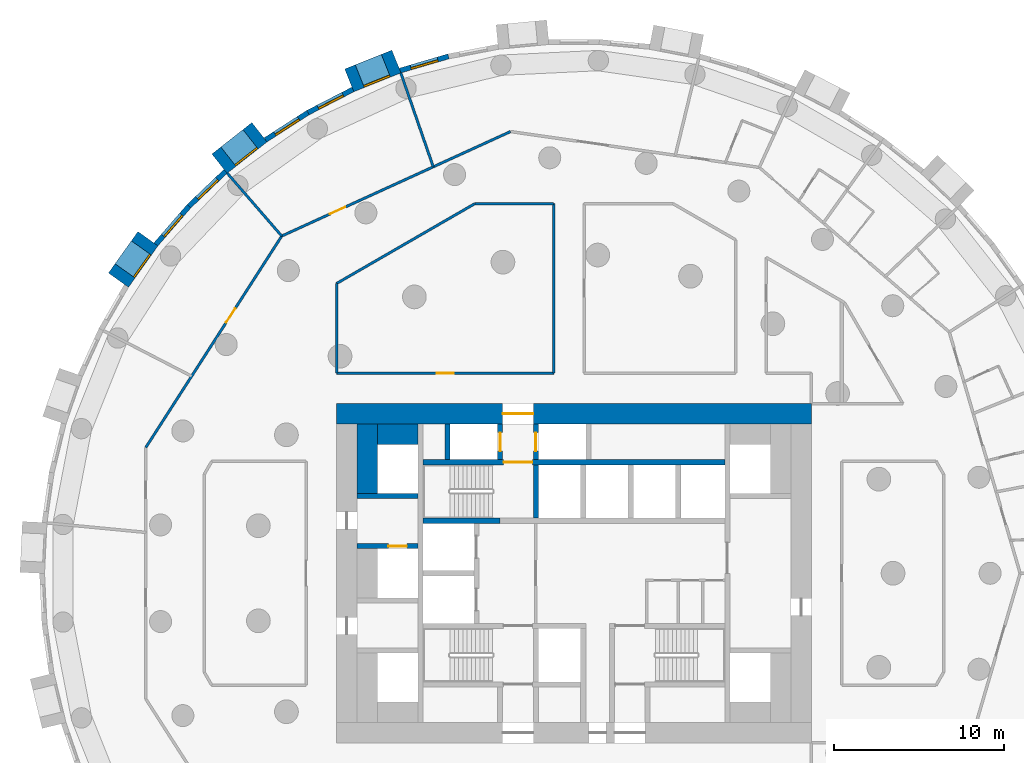
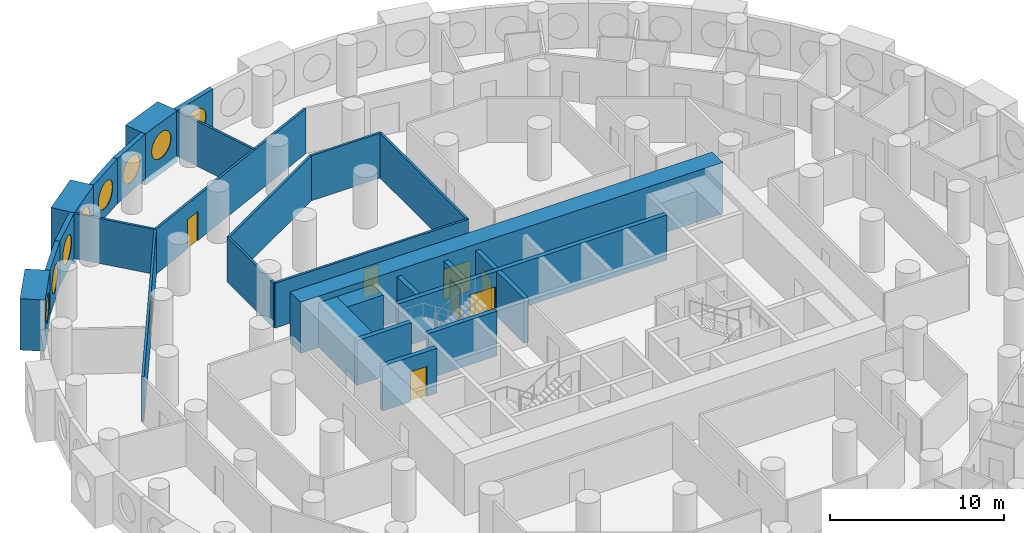
# One storey, part 7 of 12: 28 walls, 8 doors, 8 windows, 16 openings.
"""IFC4 building model written with IfcOpenShell, lengths in metres."""

from ifc_helpers import new_model, si_unit, direction, frame, frame_2d, origin, origin_2d, place, context, subcontext, project, spatial, rectangle, circle, extrude, material, layer, layer_set, type_object, element, fill, save


model = new_model("IFC4")

# Units and contexts
model_context = context("Model", 3, precision=1e-05, world=origin(), true_north=direction((0.0, 1.0)))
body_context = subcontext(model_context, "Body", "Model", "MODEL_VIEW")
ifc_project = project(units=[si_unit("LENGTHUNIT", "METRE"), si_unit("AREAUNIT", "SQUARE_METRE"), si_unit("VOLUMEUNIT", "CUBIC_METRE"), si_unit("PLANEANGLEUNIT", "RADIAN"), si_unit("MASSUNIT", "GRAM", prefix="KILO")], contexts=[model_context])

# Site, building, storey
site_placement = place(None, origin())
site = spatial("IfcSite", under=ifc_project, at=site_placement, CompositionType="ELEMENT")
building_placement = place(site_placement, origin())
building = spatial("IfcBuilding", under=site, at=building_placement, Name="Tracery Tower", CompositionType="ELEMENT")
storey_placement = place(building_placement, frame((0.0, 0.0, 71.39990234375)))
storey = spatial("IfcBuildingStorey", under=building, at=storey_placement, Name="L17", CompositionType="ELEMENT", Elevation=71.39990234375)

# Walls
ifc_material_1 = material(Name="Concrete C60/75", Category="concrete")
ifc_layer_1 = layer(ifc_material_1, 1.199951171875)
ifc_layer_set_1 = layer_set([ifc_layer_1], Name="Core strip wall 1200 C60")
wall_type_1 = type_object("IfcWallType", Name="Core strip wall 1200 C60", PredefinedType="SOLIDWALL", material=ifc_layer_set_1)
wall_1_placement = place(storey_placement, frame((-12.199951171875, 4.699951171875, 0.0), z_axis=(0.0, 0.0, 1.0), x_axis=(0.0, 1.0, 0.0)))
element("IfcWall", 1, at=wall_1_placement, inside=storey, type_object=wall_type_1, Name="L17 wing strip -1 4.55", PredefinedType="SOLIDWALL", context=body_context, shape_type="SweptSolid", body=[
    extrude(rectangle(XDim=4.10009765625, YDim=1.199951171875, at=frame_2d((2.050048828125, 0.0))), origin(), (0.0, 0.0, 1.0), 3.150146484375),
])
wall_2_placement = place(storey_placement, frame((-11.60009765625, 8.199951171875, 0.0), z_axis=(0.0, 0.0, 1.0), x_axis=(1.0, 0.0, 0.0)))
element("IfcWall", 2, at=wall_2_placement, inside=storey, type_object=wall_type_1, Name="L17 wing corner -1 +8.2", PredefinedType="SOLIDWALL", context=body_context, shape_type="SweptSolid", body=[
    extrude(rectangle(XDim=2.400146484375, YDim=1.199951171875, at=frame_2d((1.2001953125, 0.0))), origin(), (0.0, 0.0, 1.0), 3.150146484375),
])

# Wall, opening, door
ifc_material_2 = material(Name="Concrete C60/75", Category="concrete")
ifc_layer_2 = layer(ifc_material_2, 1.199951171875)
ifc_layer_set_2 = layer_set([ifc_layer_2], Name="Core wall 1200 C60")
wall_type_2 = type_object("IfcWallType", Name="Core wall 1200 C60", PredefinedType="SOLIDWALL", material=ifc_layer_set_2)
wall_3_placement = place(storey_placement, frame((-14.0, 9.39990234375, 0.0), z_axis=(0.0, 0.0, 1.0), x_axis=(1.0, 0.0, 0.0)))
wall_3 = element("IfcWall", 3, at=wall_3_placement, inside=storey, type_object=wall_type_2, Name="L17 outer N", PredefinedType="SOLIDWALL", context=body_context, shape_type="SweptSolid", body=[
    extrude(rectangle(XDim=28.0, YDim=1.199951171875, at=frame_2d((14.0, 0.0))), origin(), (0.0, 0.0, 1.0), 3.60009765625),
])
opening_1_placement = place(wall_3_placement, frame((9.800048828125, 0.0, 0.0)))
opening_1 = element("IfcOpeningElement", 4, at=opening_1_placement, cuts=wall_3, Name="Opening KD13", PredefinedType="OPENING", context=body_context, shape_type="SweptSolid", body=[
    extrude(rectangle(XDim=1.800048828125, YDim=2.10009765625, at=frame_2d((0.89990234375, 1.050048828125))), frame((0.0, 0.60009765625, 0.0), z_axis=(0.0, -1.0, 0.0), x_axis=(1.0, 0.0, 0.0)), (0.0, 0.0, 1.0), 1.199951171875),
])
ifc_material_3 = material(Name="Steel fire door", Category="steel")
door_type_1 = type_object("IfcDoorType", Name="Core exit door 1800 double", OperationType="NOTDEFINED", PredefinedType="DOOR", material=ifc_material_3)
door_1_placement = place(opening_1_placement, origin())
door_1 = element("IfcDoor", 5, at=door_1_placement, inside=storey, type_object=door_type_1, Name="Core exit door", OperationType="DOUBLE_DOOR_SINGLE_SWING", OverallHeight=2.10009765625, OverallWidth=1.800048828125, PredefinedType="DOOR", context=body_context, shape_type="SweptSolid", body=[
    extrude(rectangle(XDim=1.800048828125, YDim=2.10009765625, at=frame_2d((0.89990234375, 1.050048828125))), frame((0.0, 0.02490234375, 0.0), z_axis=(0.0, -1.0, 0.0), x_axis=(1.0, 0.0, 0.0)), (0.0, 0.0, 1.0), 0.050048828125),
])
fill(opening_1, door_1)

# Wall, opening, window
ifc_material_4 = material(Name="Precast concrete C50/60", Category="concrete")
ifc_layer_3 = layer(ifc_material_4, 1.449951171875)
ifc_layer_set_3 = layer_set([ifc_layer_3], Name="Deep-set bay unit 3000 x 3600, slab edge 450")
wall_type_3 = type_object("IfcWallType", Name="Deep-set bay unit 3000 x 3600, slab edge 450", PredefinedType="ELEMENTEDWALL", material=ifc_layer_set_3)
wall_4_placement = place(storey_placement, frame((-10.46875, 30.185302734375, -0.449951171875), z_axis=(0.0, 0.0, 1.0), x_axis=(-0.928358776184, -0.371685327504, 0.0)))
wall_4 = element("IfcWall", 6, at=wall_4_placement, inside=storey, type_object=wall_type_3, Name="Deep-set bay unit 21 at L17", PredefinedType="ELEMENTEDWALL", context=body_context, shape_type="SweptSolid", body=[
    extrude(rectangle(XDim=2.999755859375, YDim=1.449951171875, at=frame_2d((1.5, 0.0))), origin(), (0.0, 0.0, 1.0), 3.60009765625),
])
opening_2_placement = place(wall_4_placement, frame((1.5, 0.0, 2.0)))
opening_2 = element("IfcOpeningElement", 7, at=opening_2_placement, cuts=wall_4, Name="Opening WN1", PredefinedType="OPENING", context=body_context, shape_type="SweptSolid", body=[
    extrude(circle(Radius=0.9000244140625, at=origin_2d()), frame((0.0, 0.73486328125, 0.0), z_axis=(0.0, -1.0, 0.0), x_axis=(1.0, 0.0, 0.0)), (0.0, 0.0, 1.0), 1.469970703125),
])
ifc_material_5 = material(Name="Aluminium frame with tinted double glazing", Category="aluminium")
window_type = type_object("IfcWindowType", Name="Round window 1800", PartitioningType="SINGLE_PANEL", PredefinedType="WINDOW", material=ifc_material_5)
window_1_placement = place(opening_2_placement, origin())
window_1 = element("IfcWindow", 8, at=window_1_placement, inside=storey, type_object=window_type, Name="Round window 21 at L17", OverallHeight=1.800048828125, OverallWidth=1.800048828125, PartitioningType="SINGLE_PANEL", PredefinedType="WINDOW", context=body_context, shape_type="SweptSolid", body=[
    extrude(circle(Radius=0.9000244140625, at=origin_2d()), frame((0.0, 0.69482421875, 0.0), z_axis=(0.0, -1.0, 0.0), x_axis=(1.0, 0.0, 0.0)), (0.0, 0.0, 1.0), 0.10009765625),
])
fill(opening_2, window_1)

wall_5_placement = place(storey_placement, frame((-18.548828125, 26.01318359375, -0.449951171875), z_axis=(0.0, 0.0, 1.0), x_axis=(-0.786049992888, -0.618162930529, 0.0)))
wall_5 = element("IfcWall", 9, at=wall_5_placement, inside=storey, type_object=wall_type_3, Name="Deep-set bay unit 24 at L17", PredefinedType="ELEMENTEDWALL", context=body_context, shape_type="SweptSolid", body=[
    extrude(rectangle(XDim=3.0, YDim=1.449951171875, at=frame_2d((1.5, 0.0))), origin(), (0.0, 0.0, 1.0), 3.60009765625),
])
opening_3_placement = place(wall_5_placement, frame((1.5, 0.0, 2.0)))
opening_3 = element("IfcOpeningElement", 10, at=opening_3_placement, cuts=wall_5, Name="Opening WN1", PredefinedType="OPENING", context=body_context, shape_type="SweptSolid", body=[
    extrude(circle(Radius=0.9000244140625, at=origin_2d()), frame((0.0, 0.73486328125, 0.0), z_axis=(0.0, -1.0, 0.0), x_axis=(1.0, 0.0, 0.0)), (0.0, 0.0, 1.0), 1.469970703125),
])
window_2_placement = place(opening_3_placement, origin())
window_2 = element("IfcWindow", 11, at=window_2_placement, inside=storey, type_object=window_type, Name="Round window 24 at L17", OverallHeight=1.800048828125, OverallWidth=1.800048828125, PartitioningType="SINGLE_PANEL", PredefinedType="WINDOW", context=body_context, shape_type="SweptSolid", body=[
    extrude(circle(Radius=0.9000244140625, at=origin_2d()), frame((0.0, 0.69482421875, 0.0), z_axis=(0.0, -1.0, 0.0), x_axis=(1.0, 0.0, 0.0)), (0.0, 0.0, 1.0), 0.10009765625),
])
fill(opening_3, window_2)

wall_6_placement = place(storey_placement, frame((-25.126220703125, 19.733642578125, -0.449951171875), z_axis=(0.0, 0.0, 1.0), x_axis=(-0.580090570606, -0.814551981088, 0.0)))
wall_6 = element("IfcWall", 12, at=wall_6_placement, inside=storey, type_object=wall_type_3, Name="Deep-set bay unit 27 at L17", PredefinedType="ELEMENTEDWALL", context=body_context, shape_type="SweptSolid", body=[
    extrude(rectangle(XDim=3.0, YDim=1.449951171875, at=frame_2d((1.5, 0.0))), origin(), (0.0, 0.0, 1.0), 3.60009765625),
])
opening_4_placement = place(wall_6_placement, frame((1.5, 0.0, 2.0)))
opening_4 = element("IfcOpeningElement", 13, at=opening_4_placement, cuts=wall_6, Name="Opening WN1", PredefinedType="OPENING", context=body_context, shape_type="SweptSolid", body=[
    extrude(circle(Radius=0.9000244140625, at=origin_2d()), frame((0.0, 0.73486328125, 0.0), z_axis=(0.0, -1.0, 0.0), x_axis=(1.0, 0.0, 0.0)), (0.0, 0.0, 1.0), 1.469970703125),
])
window_3_placement = place(opening_4_placement, origin())
window_3 = element("IfcWindow", 14, at=window_3_placement, inside=storey, type_object=window_type, Name="Round window 27 at L17", OverallHeight=1.800048828125, OverallWidth=1.800048828125, PartitioningType="SINGLE_PANEL", PredefinedType="WINDOW", context=body_context, shape_type="SweptSolid", body=[
    extrude(circle(Radius=0.9000244140625, at=origin_2d()), frame((0.0, 0.69482421875, 0.0), z_axis=(0.0, -1.0, 0.0), x_axis=(1.0, 0.0, 0.0)), (0.0, 0.0, 1.0), 0.10009765625),
])
fill(opening_4, window_3)

ifc_material_6 = material(Name="Precast concrete C50/60", Category="concrete")
ifc_layer_4 = layer(ifc_material_6, 0.300048828125)
ifc_layer_set_4 = layer_set([ifc_layer_4], Name="Facade panel 3000 x 3150")
wall_type_4 = type_object("IfcWallType", Name="Facade panel 3000 x 3150", PredefinedType="SOLIDWALL", material=ifc_layer_set_4)
wall_7_placement = place(storey_placement, frame((-7.396728515625, 30.489990234375, 0.0), z_axis=(0.0, 0.0, 1.0), x_axis=(-0.959507586834, -0.28168278401, 0.0)))
wall_7 = element("IfcWall", 15, at=wall_7_placement, inside=storey, type_object=wall_type_4, Name="Facade panel 20 at L17", PredefinedType="SOLIDWALL", context=body_context, shape_type="SweptSolid", body=[
    extrude(rectangle(XDim=2.979736328125, YDim=0.300048828125, at=frame_2d((1.48974609375, 0.0))), origin(), (0.0, 0.0, 1.0), 3.150146484375),
])
opening_5_placement = place(wall_7_placement, frame((1.48974609375, 0.0, 1.5498046875)))
opening_5 = element("IfcOpeningElement", 16, at=opening_5_placement, cuts=wall_7, Name="Opening WN1", PredefinedType="OPENING", context=body_context, shape_type="SweptSolid", body=[
    extrude(circle(Radius=0.9000244140625, at=origin_2d()), frame((0.0, 0.159912109375, 0.0), z_axis=(0.0, -1.0, 0.0), x_axis=(1.0, 0.0, 0.0)), (0.0, 0.0, 1.0), 0.320068359375),
])
window_4_placement = place(opening_5_placement, origin())
window_4 = element("IfcWindow", 17, at=window_4_placement, inside=storey, type_object=window_type, Name="Round window 20 at L17", OverallHeight=1.800048828125, OverallWidth=1.800048828125, PartitioningType="SINGLE_PANEL", PredefinedType="WINDOW", context=body_context, shape_type="SweptSolid", body=[
    extrude(circle(Radius=0.9000244140625, at=origin_2d()), frame((0.0, 0.1201171875, 0.0), z_axis=(0.0, -1.0, 0.0), x_axis=(1.0, 0.0, 0.0)), (0.0, 0.0, 1.0), 0.10009765625),
])
fill(opening_5, window_4)

wall_8_placement = place(storey_placement, frame((-13.038818359375, 28.536376953125, 0.0), z_axis=(0.0, 0.0, 1.0), x_axis=(-0.888853225096, -0.4581920386, 0.0)))
wall_8 = element("IfcWall", 18, at=wall_8_placement, inside=storey, type_object=wall_type_4, Name="Facade panel 22 at L17", PredefinedType="SOLIDWALL", context=body_context, shape_type="SweptSolid", body=[
    extrude(rectangle(XDim=2.9794921875, YDim=0.300048828125, at=frame_2d((1.48974609375, 0.0))), origin(), (0.0, 0.0, 1.0), 3.150146484375),
])
opening_6_placement = place(wall_8_placement, frame((1.48974609375, 0.0, 1.5498046875)))
opening_6 = element("IfcOpeningElement", 19, at=opening_6_placement, cuts=wall_8, Name="Opening WN1", PredefinedType="OPENING", context=body_context, shape_type="SweptSolid", body=[
    extrude(circle(Radius=0.9000244140625, at=origin_2d()), frame((0.0, 0.159912109375, 0.0), z_axis=(0.0, -1.0, 0.0), x_axis=(1.0, 0.0, 0.0)), (0.0, 0.0, 1.0), 0.320068359375),
])
window_5_placement = place(opening_6_placement, origin())
window_5 = element("IfcWindow", 20, at=window_5_placement, inside=storey, type_object=window_type, Name="Round window 22 at L17", OverallHeight=1.800048828125, OverallWidth=1.800048828125, PartitioningType="SINGLE_PANEL", PredefinedType="WINDOW", context=body_context, shape_type="SweptSolid", body=[
    extrude(circle(Radius=0.9000244140625, at=origin_2d()), frame((0.0, 0.1201171875, 0.0), z_axis=(0.0, -1.0, 0.0), x_axis=(1.0, 0.0, 0.0)), (0.0, 0.0, 1.0), 0.10009765625),
])
fill(opening_6, window_5)

wall_9_placement = place(storey_placement, frame((-15.687255859375, 27.171142578125, 0.0), z_axis=(0.0, 0.0, 1.0), x_axis=(-0.84122372879, -0.540687190639, 0.0)))
wall_9 = element("IfcWall", 21, at=wall_9_placement, inside=storey, type_object=wall_type_4, Name="Facade panel 23 at L17", PredefinedType="SOLIDWALL", context=body_context, shape_type="SweptSolid", body=[
    extrude(rectangle(XDim=2.979736328125, YDim=0.300048828125, at=frame_2d((1.48974609375, 0.0))), origin(), (0.0, 0.0, 1.0), 3.150146484375),
])
opening_7_placement = place(wall_9_placement, frame((1.48974609375, 0.0, 1.5498046875)))
opening_7 = element("IfcOpeningElement", 22, at=opening_7_placement, cuts=wall_9, Name="Opening WN1", PredefinedType="OPENING", context=body_context, shape_type="SweptSolid", body=[
    extrude(circle(Radius=0.9000244140625, at=origin_2d()), frame((0.0, 0.159912109375, 0.0), z_axis=(0.0, -1.0, 0.0), x_axis=(1.0, 0.0, 0.0)), (0.0, 0.0, 1.0), 0.320068359375),
])
window_6_placement = place(opening_7_placement, origin())
window_6 = element("IfcWindow", 23, at=window_6_placement, inside=storey, type_object=window_type, Name="Round window 23 at L17", OverallHeight=1.800048828125, OverallWidth=1.800048828125, PartitioningType="SINGLE_PANEL", PredefinedType="WINDOW", context=body_context, shape_type="SweptSolid", body=[
    extrude(circle(Radius=0.9000244140625, at=origin_2d()), frame((0.0, 0.1201171875, 0.0), z_axis=(0.0, -1.0, 0.0), x_axis=(1.0, 0.0, 0.0)), (0.0, 0.0, 1.0), 0.10009765625),
])
fill(opening_7, window_6)

wall_10_placement = place(storey_placement, frame((-20.55029296875, 23.70703125, 0.0), z_axis=(0.0, 0.0, 1.0), x_axis=(-0.723744206617, -0.690068346896, 0.0)))
wall_10 = element("IfcWall", 24, at=wall_10_placement, inside=storey, type_object=wall_type_4, Name="Facade panel 25 at L17", PredefinedType="SOLIDWALL", context=body_context, shape_type="SweptSolid", body=[
    extrude(rectangle(XDim=2.979736328125, YDim=0.300048828125, at=frame_2d((1.48974609375, 0.0))), origin(), (0.0, 0.0, 1.0), 3.150146484375),
])
opening_8_placement = place(wall_10_placement, frame((1.48974609375, 0.0, 1.5498046875)))
opening_8 = element("IfcOpeningElement", 25, at=opening_8_placement, cuts=wall_10, Name="Opening WN1", PredefinedType="OPENING", context=body_context, shape_type="SweptSolid", body=[
    extrude(circle(Radius=0.9000244140625, at=origin_2d()), frame((0.0, 0.159912109375, 0.0), z_axis=(0.0, -1.0, 0.0), x_axis=(1.0, 0.0, 0.0)), (0.0, 0.0, 1.0), 0.320068359375),
])
window_7_placement = place(opening_8_placement, origin())
window_7 = element("IfcWindow", 26, at=window_7_placement, inside=storey, type_object=window_type, Name="Round window 25 at L17", OverallHeight=1.800048828125, OverallWidth=1.800048828125, PartitioningType="SINGLE_PANEL", PredefinedType="WINDOW", context=body_context, shape_type="SweptSolid", body=[
    extrude(circle(Radius=0.9000244140625, at=origin_2d()), frame((0.0, 0.1201171875, 0.0), z_axis=(0.0, -1.0, 0.0), x_axis=(1.0, 0.0, 0.0)), (0.0, 0.0, 1.0), 0.10009765625),
])
fill(opening_8, window_7)

wall_11_placement = place(storey_placement, frame((-22.706787109375, 21.65087890625, 0.0), z_axis=(0.0, 0.0, 1.0), x_axis=(-0.654830712471, -0.755775587066, 0.0)))
wall_11 = element("IfcWall", 27, at=wall_11_placement, inside=storey, type_object=wall_type_4, Name="Facade panel 26 at L17", PredefinedType="SOLIDWALL", context=body_context, shape_type="SweptSolid", body=[
    extrude(rectangle(XDim=2.979736328125, YDim=0.300048828125, at=frame_2d((1.48974609375, 0.0))), origin(), (0.0, 0.0, 1.0), 3.150146484375),
])
opening_9_placement = place(wall_11_placement, frame((1.48974609375, 0.0, 1.5498046875)))
opening_9 = element("IfcOpeningElement", 28, at=opening_9_placement, cuts=wall_11, Name="Opening WN1", PredefinedType="OPENING", context=body_context, shape_type="SweptSolid", body=[
    extrude(circle(Radius=0.9000244140625, at=origin_2d()), frame((0.0, 0.159912109375, 0.0), z_axis=(0.0, -1.0, 0.0), x_axis=(1.0, 0.0, 0.0)), (0.0, 0.0, 1.0), 0.320068359375),
])
window_8_placement = place(opening_9_placement, origin())
window_8 = element("IfcWindow", 29, at=window_8_placement, inside=storey, type_object=window_type, Name="Round window 26 at L17", OverallHeight=1.800048828125, OverallWidth=1.800048828125, PartitioningType="SINGLE_PANEL", PredefinedType="WINDOW", context=body_context, shape_type="SweptSolid", body=[
    extrude(circle(Radius=0.9000244140625, at=origin_2d()), frame((0.0, 0.1201171875, 0.0), z_axis=(0.0, -1.0, 0.0), x_axis=(1.0, 0.0, 0.0)), (0.0, 0.0, 1.0), 0.10009765625),
])
fill(opening_9, window_8)

# Walls
ifc_material_7 = material(Name="Plasterboard on steel studs", Category="steel")
ifc_layer_5 = layer(ifc_material_7, 0.14990234375)
ifc_layer_set_5 = layer_set([ifc_layer_5], Name="Partition 150 acoustic unit wall")
wall_type_5 = type_object("IfcWallType", Name="Partition 150 acoustic unit wall", PredefinedType="PARTITIONING", material=ifc_layer_set_5)
wall_12_placement = place(storey_placement, frame((-10.2119140625, 29.507080078125, 0.0), z_axis=(0.0, 0.0, 1.0), x_axis=(0.32692444056, -0.94505048022, 0.0)))
element("IfcWall", 30, at=wall_12_placement, inside=storey, type_object=wall_type_5, Name="Unit wall RA5-080", PredefinedType="PARTITIONING", context=body_context, shape_type="SweptSolid", body=[
    extrude(rectangle(XDim=5.85693359375, YDim=0.14990234375, at=frame_2d((2.928466796875, 0.0))), origin(), (0.0, 0.0, 1.0), 3.150146484375),
])
wall_13_placement = place(storey_placement, frame((-20.447998046875, 23.597900390625, 0.0), z_axis=(0.0, 0.0, 1.0), x_axis=(0.654847179409, -0.755761319214, 0.0)))
element("IfcWall", 31, at=wall_13_placement, inside=storey, type_object=wall_type_5, Name="Unit wall RA5-081", PredefinedType="PARTITIONING", context=body_context, shape_type="SweptSolid", body=[
    extrude(rectangle(XDim=4.90625, YDim=0.14990234375, at=frame_2d((2.453125, 0.0))), origin(), (0.0, 0.0, 1.0), 3.150146484375),
])

# Wall, opening, door
ifc_material_8 = material(Name="Plasterboard on steel studs", Category="steel")
ifc_layer_6 = layer(ifc_material_8, 0.14990234375)
ifc_layer_set_6 = layer_set([ifc_layer_6], Name="Partition 150 corridor wall")
wall_type_6 = type_object("IfcWallType", Name="Partition 150 corridor wall", PredefinedType="PARTITIONING", material=ifc_layer_set_6)
wall_14_placement = place(storey_placement, frame((-14.00390625, 11.800048828125, 0.0), z_axis=(0.0, 0.0, 1.0), x_axis=(1.0, 0.0, 0.0)))
wall_14 = element("IfcWall", 32, at=wall_14_placement, inside=storey, type_object=wall_type_6, Name="Corridor wall RA5-001", PredefinedType="PARTITIONING", context=body_context, shape_type="SweptSolid", body=[
    extrude(rectangle(XDim=12.81591796875, YDim=0.14990234375, at=frame_2d((6.407958984375, 0.0))), origin(), (0.0, 0.0, 1.0), 3.150146484375),
])
opening_10_placement = place(wall_14_placement, frame((5.907958984375, 0.0, 0.0)))
opening_10 = element("IfcOpeningElement", 33, at=opening_10_placement, cuts=wall_14, Name="Opening RA5-01", PredefinedType="OPENING", context=body_context, shape_type="SweptSolid", body=[
    extrude(rectangle(XDim=1.0, YDim=2.0400390625, at=frame_2d((0.5, 1.02001953125))), frame((0.0, 0.074951171875, 0.0), z_axis=(0.0, -1.0, 0.0), x_axis=(1.0, 0.0, 0.0)), (0.0, 0.0, 1.0), 0.14990234375),
])
ifc_material_9 = material(Name="Timber door leaf", Category="wood")
door_type_2 = type_object("IfcDoorType", Name="Door communal room 1000", OperationType="NOTDEFINED", PredefinedType="DOOR", material=ifc_material_9)
door_2_placement = place(opening_10_placement, origin())
door_2 = element("IfcDoor", 34, at=door_2_placement, inside=storey, type_object=door_type_2, Name="Communal room door RA5-01", OperationType="SINGLE_SWING_RIGHT", OverallHeight=2.0400390625, OverallWidth=1.0, PredefinedType="DOOR", context=body_context, shape_type="SweptSolid", body=[
    extrude(rectangle(XDim=1.0, YDim=2.0400390625, at=frame_2d((0.5, 1.02001953125))), frame((0.0, 0.02490234375, 0.0), z_axis=(0.0, -1.0, 0.0), x_axis=(1.0, 0.0, 0.0)), (0.0, 0.0, 1.0), 0.050048828125),
])
fill(opening_10, door_2)

# Walls
wall_15_placement = place(storey_placement, frame((-1.19189453125, 11.800048828125, 0.0), z_axis=(0.0, 0.0, 1.0), x_axis=(0.0, 1.0, 0.0)))
element("IfcWall", 35, at=wall_15_placement, inside=storey, type_object=wall_type_6, Name="Corridor wall RA5-024", PredefinedType="PARTITIONING", context=body_context, shape_type="SweptSolid", body=[
    extrude(rectangle(XDim=10.001953125, YDim=0.14990234375, at=frame_2d((5.0009765625, 0.0))), origin(), (0.0, 0.0, 1.0), 3.150146484375),
])
wall_16_placement = place(storey_placement, frame((-5.842041015625, 21.802001953125, 0.0), z_axis=(0.0, 0.0, 1.0), x_axis=(1.0, 0.0, 0.0)))
element("IfcWall", 36, at=wall_16_placement, inside=storey, type_object=wall_type_6, Name="Corridor wall RA5-025", PredefinedType="PARTITIONING", context=body_context, shape_type="SweptSolid", body=[
    extrude(rectangle(XDim=4.650146484375, YDim=0.14990234375, at=frame_2d((2.3251953125, 0.0))), origin(), (0.0, 0.0, 1.0), 3.150146484375),
])
wall_17_placement = place(storey_placement, frame((-14.0, 17.092041015625, 0.0), z_axis=(0.0, 0.0, 1.0), x_axis=(0.86602719091, 0.499996904595, 0.0)))
element("IfcWall", 37, at=wall_17_placement, inside=storey, type_object=wall_type_6, Name="Corridor wall RA5-026", PredefinedType="PARTITIONING", context=body_context, shape_type="SweptSolid", body=[
    extrude(rectangle(XDim=9.419921875, YDim=0.14990234375, at=frame_2d((4.7099609375, 0.0))), origin(), (0.0, 0.0, 1.0), 3.150146484375),
])
wall_18_placement = place(storey_placement, frame((-14.0, 11.800048828125, 0.0), z_axis=(0.0, 0.0, 1.0), x_axis=(0.0, 1.0, 0.0)))
element("IfcWall", 38, at=wall_18_placement, inside=storey, type_object=wall_type_6, Name="Corridor wall RA5-027", PredefinedType="PARTITIONING", context=body_context, shape_type="SweptSolid", body=[
    extrude(rectangle(XDim=5.2919921875, YDim=0.14990234375, at=frame_2d((2.64599609375, 0.0))), origin(), (0.0, 0.0, 1.0), 3.150146484375),
])

# Wall, opening, door
wall_19_placement = place(storey_placement, frame((-17.235595703125, 19.89111328125, 0.0), z_axis=(0.0, 0.0, 1.0), x_axis=(0.909645678785, 0.415385049163, 0.0)))
wall_19 = element("IfcWall", 39, at=wall_19_placement, inside=storey, type_object=wall_type_6, Name="Corridor wall RA5-035", PredefinedType="PARTITIONING", context=body_context, shape_type="SweptSolid", body=[
    extrude(rectangle(XDim=14.829345703125, YDim=0.14990234375, at=frame_2d((7.41455078125, 0.0))), origin(), (0.0, 0.0, 1.0), 3.150146484375),
])
opening_11_placement = place(wall_19_placement, frame((3.114990234375, 0.0, 0.0)))
opening_11 = element("IfcOpeningElement", 40, at=opening_11_placement, cuts=wall_19, Name="Opening RA5-25", PredefinedType="OPENING", context=body_context, shape_type="SweptSolid", body=[
    extrude(rectangle(XDim=1.0, YDim=2.0400390625, at=frame_2d((0.5, 1.02001953125))), frame((0.0, 0.074951171875, 0.0), z_axis=(0.0, -1.0, 0.0), x_axis=(1.0, 0.0, 0.0)), (0.0, 0.0, 1.0), 0.14990234375),
])
door_3_placement = place(opening_11_placement, origin())
door_3 = element("IfcDoor", 41, at=door_3_placement, inside=storey, type_object=door_type_2, Name="Communal room door RA5-25", OperationType="SINGLE_SWING_LEFT", OverallHeight=2.0400390625, OverallWidth=1.0, PredefinedType="DOOR", context=body_context, shape_type="SweptSolid", body=[
    extrude(rectangle(XDim=1.0, YDim=2.0400390625, at=frame_2d((0.5, 1.02001953125))), frame((0.0, 0.02490234375, 0.0), z_axis=(0.0, -1.0, 0.0), x_axis=(1.0, 0.0, 0.0)), (0.0, 0.0, 1.0), 0.050048828125),
])
fill(opening_11, door_3)

wall_20_placement = place(storey_placement, frame((-25.2548828125, 7.416259765625, 0.0), z_axis=(0.0, 0.0, 1.0), x_axis=(0.540805851332, 0.841147449123, 0.0)))
wall_20 = element("IfcWall", 42, at=wall_20_placement, inside=storey, type_object=wall_type_6, Name="Corridor wall RA5-036", PredefinedType="PARTITIONING", context=body_context, shape_type="SweptSolid", body=[
    extrude(rectangle(XDim=14.829345703125, YDim=0.14990234375, at=frame_2d((7.41455078125, 0.0))), origin(), (0.0, 0.0, 1.0), 3.150146484375),
])
opening_12_placement = place(wall_20_placement, frame((8.75390625, 0.0, 0.0)))
opening_12 = element("IfcOpeningElement", 43, at=opening_12_placement, cuts=wall_20, Name="Opening RA5-26", PredefinedType="OPENING", context=body_context, shape_type="SweptSolid", body=[
    extrude(rectangle(XDim=1.0, YDim=2.0400390625, at=frame_2d((0.5, 1.02001953125))), frame((0.0, 0.074951171875, 0.0), z_axis=(0.0, -1.0, 0.0), x_axis=(1.0, 0.0, 0.0)), (0.0, 0.0, 1.0), 0.14990234375),
])
door_4_placement = place(opening_12_placement, origin())
door_4 = element("IfcDoor", 44, at=door_4_placement, inside=storey, type_object=door_type_2, Name="Communal room door RA5-26", OperationType="SINGLE_SWING_RIGHT", OverallHeight=2.0400390625, OverallWidth=1.0, PredefinedType="DOOR", context=body_context, shape_type="SweptSolid", body=[
    extrude(rectangle(XDim=1.0, YDim=2.0400390625, at=frame_2d((0.5, 1.02001953125))), frame((0.0, 0.02490234375, 0.0), z_axis=(0.0, -1.0, 0.0), x_axis=(1.0, 0.0, 0.0)), (0.0, 0.0, 1.0), 0.050048828125),
])
fill(opening_12, door_4)

# Wall
ifc_material_10 = material(Name="Concrete C60/75", Category="concrete")
ifc_layer_7 = layer(ifc_material_10, 0.300048828125)
ifc_layer_set_7 = layer_set([ifc_layer_7], Name="Shaft wall 300 C60")
wall_type_7 = type_object("IfcWallType", Name="Shaft wall 300 C60", PredefinedType="SOLIDWALL", material=ifc_layer_set_7)
wall_21_placement = place(storey_placement, frame((-7.449951171875, 6.699951171875, 0.0), z_axis=(0.0, 0.0, 1.0), x_axis=(0.0, 1.0, 0.0)))
element("IfcWall", 45, at=wall_21_placement, inside=storey, type_object=wall_type_7, Name="L17 LR sep -7.45", PredefinedType="SOLIDWALL", context=body_context, shape_type="SweptSolid", body=[
    extrude(rectangle(XDim=2.10009765625, YDim=0.300048828125, at=frame_2d((1.050048828125, 0.0))), origin(), (0.0, 0.0, 1.0), 3.150146484375),
])

# Wall, opening, door
wall_22_placement = place(storey_placement, frame((-4.35009765625, 6.699951171875, 0.0), z_axis=(0.0, 0.0, 1.0), x_axis=(0.0, 1.0, 0.0)))
wall_22 = element("IfcWall", 46, at=wall_22_placement, inside=storey, type_object=wall_type_7, Name="L17 LR sep -4.35", PredefinedType="SOLIDWALL", context=body_context, shape_type="SweptSolid", body=[
    extrude(rectangle(XDim=2.10009765625, YDim=0.300048828125, at=frame_2d((1.050048828125, 0.0))), origin(), (0.0, 0.0, 1.0), 3.150146484375),
])
opening_13_placement = place(wall_22_placement, frame((0.5, 0.0, 0.0)))
opening_13 = element("IfcOpeningElement", 47, at=opening_13_placement, cuts=wall_22, Name="Opening KD50", PredefinedType="OPENING", context=body_context, shape_type="SweptSolid", body=[
    extrude(rectangle(XDim=1.10009765625, YDim=2.10009765625, at=frame_2d((0.550048828125, 1.050048828125))), frame((0.0, 0.14990234375, 0.0), z_axis=(0.0, -1.0, 0.0), x_axis=(1.0, 0.0, 0.0)), (0.0, 0.0, 1.0), 0.300048828125),
])
ifc_material_11 = material(Name="Steel fire door", Category="steel")
door_type_3 = type_object("IfcDoorType", Name="Landing door 1100", OperationType="NOTDEFINED", PredefinedType="DOOR", material=ifc_material_11)
door_5_placement = place(opening_13_placement, origin())
door_5 = element("IfcDoor", 48, at=door_5_placement, inside=storey, type_object=door_type_3, Name="Landing door LR3", OperationType="SLIDING_TO_RIGHT", OverallHeight=2.10009765625, OverallWidth=1.10009765625, PredefinedType="DOOR", context=body_context, shape_type="SweptSolid", body=[
    extrude(rectangle(XDim=1.10009765625, YDim=2.10009765625, at=frame_2d((0.550048828125, 1.050048828125))), frame((0.0, 0.02490234375, 0.0), z_axis=(0.0, -1.0, 0.0), x_axis=(1.0, 0.0, 0.0)), (0.0, 0.0, 1.0), 0.050048828125),
])
fill(opening_13, door_5)

# Wall
wall_23_placement = place(storey_placement, frame((-12.800048828125, 4.550048828125, 0.0), z_axis=(0.0, 0.0, 1.0), x_axis=(1.0, 0.0, 0.0)))
element("IfcWall", 49, at=wall_23_placement, inside=storey, type_object=wall_type_7, Name="L17 wing shaft wall -1 +4.55", PredefinedType="SOLIDWALL", context=body_context, shape_type="SweptSolid", body=[
    extrude(rectangle(XDim=3.60009765625, YDim=0.300048828125, at=frame_2d((1.800048828125, 0.0))), origin(), (0.0, 0.0, 1.0), 3.150146484375),
])

# Wall, opening, door
wall_24_placement = place(storey_placement, frame((-12.800048828125, 1.60009765625, 0.0), z_axis=(0.0, 0.0, 1.0), x_axis=(1.0, 0.0, 0.0)))
wall_24 = element("IfcWall", 50, at=wall_24_placement, inside=storey, type_object=wall_type_7, Name="L17 wing shaft wall -1 +1.60", PredefinedType="SOLIDWALL", context=body_context, shape_type="SweptSolid", body=[
    extrude(rectangle(XDim=3.60009765625, YDim=0.300048828125, at=frame_2d((1.800048828125, 0.0))), origin(), (0.0, 0.0, 1.0), 3.150146484375),
])
opening_14_placement = place(wall_24_placement, frame((1.85009765625, 0.0, 0.0)))
opening_14 = element("IfcOpeningElement", 51, at=opening_14_placement, cuts=wall_24, Name="Opening KD50", PredefinedType="OPENING", context=body_context, shape_type="SweptSolid", body=[
    extrude(rectangle(XDim=1.10009765625, YDim=2.10009765625, at=frame_2d((0.550048828125, 1.050048828125))), frame((0.0, 0.14990234375, 0.0), z_axis=(0.0, -1.0, 0.0), x_axis=(1.0, 0.0, 0.0)), (0.0, 0.0, 1.0), 0.300048828125),
])
door_6_placement = place(opening_14_placement, origin())
door_6 = element("IfcDoor", 52, at=door_6_placement, inside=storey, type_object=door_type_3, Name="Landing door LR1", OperationType="SLIDING_TO_RIGHT", OverallHeight=2.10009765625, OverallWidth=1.10009765625, PredefinedType="DOOR", context=body_context, shape_type="SweptSolid", body=[
    extrude(rectangle(XDim=1.10009765625, YDim=2.10009765625, at=frame_2d((0.550048828125, 1.050048828125))), frame((0.0, 0.02490234375, 0.0), z_axis=(0.0, -1.0, 0.0), x_axis=(1.0, 0.0, 0.0)), (0.0, 0.0, 1.0), 0.050048828125),
])
fill(opening_14, door_6)

# Walls
ifc_material_12 = material(Name="Concrete C60/75", Category="concrete")
ifc_layer_8 = layer(ifc_material_12, 0.300048828125)
ifc_layer_set_8 = layer_set([ifc_layer_8], Name="Stair wall 300 C60")
wall_type_8 = type_object("IfcWallType", Name="Stair wall 300 C60", PredefinedType="SOLIDWALL", material=ifc_layer_set_8)
wall_25_placement = place(storey_placement, frame((-8.89990234375, 3.10009765625, 0.0), z_axis=(0.0, 0.0, 1.0), x_axis=(1.0, 0.0, 0.0)))
element("IfcWall", 53, at=wall_25_placement, inside=storey, type_object=wall_type_8, Name="L17 row N W", PredefinedType="SOLIDWALL", context=body_context, shape_type="SweptSolid", body=[
    extrude(rectangle(XDim=4.5498046875, YDim=0.300048828125, at=frame_2d((2.27490234375, 0.0))), origin(), (0.0, 0.0, 1.0), 3.150146484375),
])
wall_26_placement = place(storey_placement, frame((-2.25, 3.25, 0.0), z_axis=(0.0, 0.0, 1.0), x_axis=(0.0, 1.0, 0.0)))
element("IfcWall", 54, at=wall_26_placement, inside=storey, type_object=wall_type_8, Name="L17 ST3 E", PredefinedType="SOLIDWALL", context=body_context, shape_type="SweptSolid", body=[
    extrude(rectangle(XDim=3.14990234375, YDim=0.300048828125, at=frame_2d((1.574951171875, 0.0))), origin(), (0.0, 0.0, 1.0), 3.150146484375),
])

# Wall, opening, door
wall_27_placement = place(storey_placement, frame((-8.89990234375, 6.550048828125, 0.0), z_axis=(0.0, 0.0, 1.0), x_axis=(1.0, 0.0, 0.0)))
wall_27 = element("IfcWall", 55, at=wall_27_placement, inside=storey, type_object=wall_type_8, Name="L17 F N", PredefinedType="SOLIDWALL", context=body_context, shape_type="SweptSolid", body=[
    extrude(rectangle(XDim=17.7998046875, YDim=0.300048828125, at=frame_2d((8.89990234375, 0.0))), origin(), (0.0, 0.0, 1.0), 3.150146484375),
])
opening_15_placement = place(wall_27_placement, frame((4.75, 0.0, 0.0)))
opening_15 = element("IfcOpeningElement", 56, at=opening_15_placement, cuts=wall_27, Name="Opening KD3", PredefinedType="OPENING", context=body_context, shape_type="SweptSolid", body=[
    extrude(rectangle(XDim=1.699951171875, YDim=2.10009765625, at=frame_2d((0.85009765625, 1.050048828125))), frame((0.0, 0.14990234375, 0.0), z_axis=(0.0, -1.0, 0.0), x_axis=(1.0, 0.0, 0.0)), (0.0, 0.0, 1.0), 0.300048828125),
])
ifc_material_13 = material(Name="Steel fire door", Category="steel")
door_type_4 = type_object("IfcDoorType", Name="Core stair door 1700 double", OperationType="NOTDEFINED", PredefinedType="DOOR", material=ifc_material_13)
door_7_placement = place(opening_15_placement, origin())
door_7 = element("IfcDoor", 57, at=door_7_placement, inside=storey, type_object=door_type_4, Name="Stair door ST3 N", OperationType="DOUBLE_DOOR_SINGLE_SWING", OverallHeight=2.10009765625, OverallWidth=1.699951171875, PredefinedType="DOOR", context=body_context, shape_type="SweptSolid", body=[
    extrude(rectangle(XDim=1.699951171875, YDim=2.10009765625, at=frame_2d((0.85009765625, 1.050048828125))), frame((0.0, 0.02490234375, 0.0), z_axis=(0.0, -1.0, 0.0), x_axis=(1.0, 0.0, 0.0)), (0.0, 0.0, 1.0), 0.050048828125),
])
fill(opening_15, door_7)

wall_28_placement = place(storey_placement, frame((-2.25, 6.699951171875, 0.0), z_axis=(0.0, 0.0, 1.0), x_axis=(0.0, 1.0, 0.0)))
wall_28 = element("IfcWall", 58, at=wall_28_placement, inside=storey, type_object=wall_type_8, Name="L17 ST3 E out", PredefinedType="SOLIDWALL", context=body_context, shape_type="SweptSolid", body=[
    extrude(rectangle(XDim=2.10009765625, YDim=0.300048828125, at=frame_2d((1.050048828125, 0.0))), origin(), (0.0, 0.0, 1.0), 3.150146484375),
])
opening_16_placement = place(wall_28_placement, frame((0.5, 0.0, 0.0)))
opening_16 = element("IfcOpeningElement", 59, at=opening_16_placement, cuts=wall_28, Name="Opening KD49", PredefinedType="OPENING", context=body_context, shape_type="SweptSolid", body=[
    extrude(rectangle(XDim=1.10009765625, YDim=2.10009765625, at=frame_2d((0.550048828125, 1.050048828125))), frame((0.0, 0.14990234375, 0.0), z_axis=(0.0, -1.0, 0.0), x_axis=(1.0, 0.0, 0.0)), (0.0, 0.0, 1.0), 0.300048828125),
])
door_8_placement = place(opening_16_placement, origin())
door_8 = element("IfcDoor", 60, at=door_8_placement, inside=storey, type_object=door_type_3, Name="Landing door LR2", OperationType="SLIDING_TO_LEFT", OverallHeight=2.10009765625, OverallWidth=1.10009765625, PredefinedType="DOOR", context=body_context, shape_type="SweptSolid", body=[
    extrude(rectangle(XDim=1.10009765625, YDim=2.10009765625, at=frame_2d((0.550048828125, 1.050048828125))), frame((0.0, 0.02490234375, 0.0), z_axis=(0.0, -1.0, 0.0), x_axis=(1.0, 0.0, 0.0)), (0.0, 0.0, 1.0), 0.050048828125),
])
fill(opening_16, door_8)

save(model, "model.ifc")
